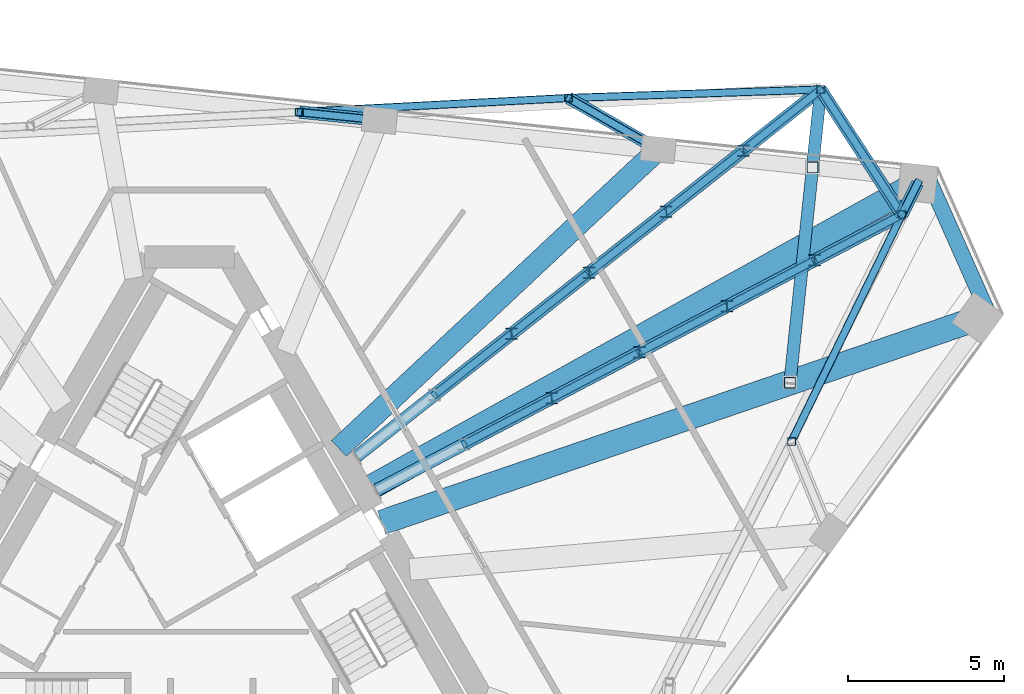
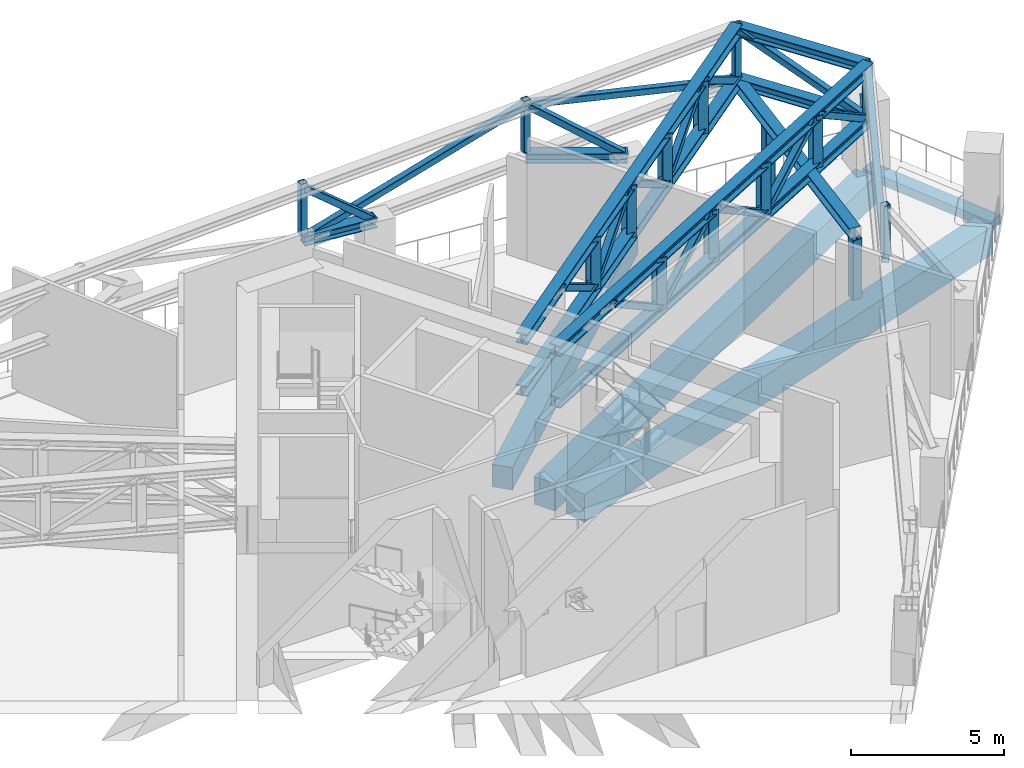
# One storey, part 10 of 20: 42 members, 4 beams.
"""IFC4 building model written with IfcOpenShell, lengths in metres."""

import ifcopenshell
import ifcopenshell.guid

model = None  # the IFC model being written
_history = None  # IfcOwnerHistory: only IFC2X3 demands one
_inside = {}  # id of a spatial element -> (the spatial element, [elements in it])
_under = {}  # id of a project, library or spatial element -> (it, [spatial elements below it])
_declared = {}  # id of a project -> (the project, [libraries it declares])
_typed = {}  # id of a type object -> (the type object, [elements of that type])
_made_of = {}  # id of a material, layer set ... -> (it, [elements and type objects made of it])


def new_model(schema):
    """Start an empty IFC model of exactly this schema.

    Asked for "IFC4X3", IfcOpenShell would pick the latest addendum, in which some entities
    have other attributes; the version numbers below select the first issue.
    IFC2X3 requires an IfcOwnerHistory on every rooted entity: one is made here for all.
    """
    global model, _history
    if schema == "IFC4X3":
        model = ifcopenshell.file(schema_version=(4, 3, 0, 0))
    else:
        model = ifcopenshell.file(schema=schema)
    _inside.clear()
    _under.clear()
    _declared.clear()
    _typed.clear()
    _made_of.clear()
    _history = None
    if model.schema == "IFC2X3":
        org = make("IfcOrganization", Name="unknown")
        user = make(
            "IfcPersonAndOrganization",
            ThePerson=make("IfcPerson", FamilyName="unknown"),
            TheOrganization=org,
        )
        app = make(
            "IfcApplication",
            ApplicationDeveloper=org,
            Version="unknown",
            ApplicationFullName="unknown",
            ApplicationIdentifier="unknown",
        )
        _history = make(
            "IfcOwnerHistory",
            OwningUser=user,
            OwningApplication=app,
            ChangeAction="ADDED",
            CreationDate=0,
        )
    return model


def make(cls, **values):
    """One entity of the class cls with the attributes given. An attribute that is None is left unset."""
    return model.create_entity(
        cls, **{name: value for name, value in values.items() if value is not None}
    )


def rooted(cls, **values):
    """An entity with a GlobalId (a new one), such as an element, a storey or a relation."""
    return make(cls, GlobalId=ifcopenshell.guid.new(), OwnerHistory=_history, **values)


def si_unit(unit_type, name, prefix=None):
    """IfcSIUnit, for example si_unit("LENGTHUNIT", "METRE", prefix="MILLI")."""
    return make("IfcSIUnit", UnitType=unit_type, Prefix=prefix, Name=name)


def assignment(units):
    """IfcUnitAssignment: the units of a project."""
    return None if units is None else make("IfcUnitAssignment", Units=units)


def point(xyz):
    """IfcCartesianPoint."""
    return None if xyz is None else make("IfcCartesianPoint", Coordinates=xyz)


def direction(xyz):
    """IfcDirection."""
    return None if xyz is None else make("IfcDirection", DirectionRatios=xyz)


def frame(location, z_axis=None, x_axis=None):
    """IfcAxis2Placement3D, a coordinate frame: its origin and axes. An axis left out is left unset."""
    return make(
        "IfcAxis2Placement3D",
        Location=point(location),
        Axis=direction(z_axis),
        RefDirection=direction(x_axis),
    )


def frame_2d(location, x_axis=None):
    """IfcAxis2Placement2D, a coordinate frame in the plane: its origin and x axis."""
    return make(
        "IfcAxis2Placement2D", Location=point(location), RefDirection=direction(x_axis)
    )


def origin():
    """The frame at (0, 0, 0) with its axes left unset."""
    return frame((0.0, 0.0, 0.0))


def origin_2d():
    """The frame at (0, 0) in the plane with its x axis left unset."""
    return frame_2d((0.0, 0.0))


def place(relative_to, where):
    """IfcLocalPlacement: puts the frame where relative to a parent placement (None: the world)."""
    return make(
        "IfcLocalPlacement", PlacementRelTo=relative_to, RelativePlacement=where
    )


def context(
    kind, dimensions, precision=None, world=None, true_north=None, identifier=None
):
    """IfcGeometricRepresentationContext, for example the 3D "Model" context."""
    return make(
        "IfcGeometricRepresentationContext",
        ContextIdentifier=identifier,
        ContextType=kind,
        CoordinateSpaceDimension=dimensions,
        Precision=precision,
        WorldCoordinateSystem=world,
        TrueNorth=true_north,
    )


def subcontext(parent, identifier, kind, view, scale=None):
    """IfcGeometricRepresentationSubContext, for example "Body" below "Model"."""
    return make(
        "IfcGeometricRepresentationSubContext",
        ContextIdentifier=identifier,
        ContextType=kind,
        ParentContext=parent,
        TargetScale=scale,
        TargetView=view,
    )


def project(units=None, contexts=None):
    """IfcProject with its units and contexts."""
    return rooted(
        "IfcProject",
        Name="project",
        RepresentationContexts=contexts,
        UnitsInContext=assignment(units),
    )


def spatial(cls, under=None, at=None, **own):
    """A site, building, storey or space (cls), placed at a placement, below another one or the project."""
    s = rooted(cls, ObjectPlacement=at, **own)
    if under is not None:
        _under.setdefault(under.id(), (under, []))[1].append(s)
    return s


def profile(cls, at=None, kind="AREA", **sizes):
    """A parametric profile (cls). Its sizes go by their IFC names, for example OverallWidth=200.0."""
    return make(cls, ProfileType=kind, Position=at, **sizes)


def rectangle(**sizes):
    """IfcRectangleProfileDef."""
    return profile("IfcRectangleProfileDef", **sizes)


def hollow_rectangle(**sizes):
    """IfcRectangleHollowProfileDef."""
    return profile("IfcRectangleHollowProfileDef", **sizes)


def i_section(**sizes):
    """IfcIShapeProfileDef."""
    return profile("IfcIShapeProfileDef", **sizes)


def extrude(swept, where, along, depth):
    """IfcExtrudedAreaSolid: the profile swept, set in the frame where, extruded along a direction by depth."""
    return make(
        "IfcExtrudedAreaSolid",
        SweptArea=swept,
        Position=where,
        ExtrudedDirection=direction(along),
        Depth=depth,
    )


def shape(context_of_items, identifier, shape_type, items):
    """IfcShapeRepresentation: the items that make up one representation, for example the "Body"."""
    return make(
        "IfcShapeRepresentation",
        ContextOfItems=context_of_items,
        RepresentationIdentifier=identifier,
        RepresentationType=shape_type,
        Items=items,
    )


def material(Name=None, Category=None):
    """IfcMaterial."""
    return make("IfcMaterial", Name=Name, Category=Category)


def material_profile(
    of_material, cross_section, Name=None, Category=None, Priority=None
):
    """IfcMaterialProfile: a cross section and its material."""
    return make(
        "IfcMaterialProfile",
        Name=Name,
        Material=of_material,
        Profile=cross_section,
        Priority=Priority,
        Category=Category,
    )


def profile_set(profiles, Name=None, composite=None):
    """IfcMaterialProfileSet."""
    return make(
        "IfcMaterialProfileSet",
        Name=Name,
        MaterialProfiles=profiles,
        CompositeProfile=composite,
    )


def made_of(thing, what):
    """Note that an element or type object is made of a material, layer set ...; save() writes the relation."""
    if what is not None:
        _made_of.setdefault(what.id(), (what, []))[1].append(thing)
    return thing


def type_object(cls, material=None, **own):
    """A type object (cls), such as IfcWallType, which elements share."""
    return made_of(rooted(cls, **own), material)


def element(
    cls,
    number,
    at=None,
    inside=None,
    cuts=None,
    type_object=None,
    material=None,
    context=None,
    identifier="Body",
    shape_type=None,
    held_by="IfcProductDefinitionShape",
    body=None,
    shapes=None,
    **own,
):
    """One element of the class cls, such as IfcWall. Its Tag is "e" and its number.

    at: its placement. inside: the storey or other place that contains it. cuts: it is an
    opening in that element (IfcRelVoidsElement). A single representation is given by context,
    identifier, shape_type and body (its items); several are given by shapes. held_by: the class
    of the entity that holds the representations. save() writes the other relations.
    """
    e = rooted(cls, Tag="e%d" % number, ObjectPlacement=at, **own)
    if body is not None:
        shapes = [shape(context, identifier, shape_type, body)]
    if shapes is not None:
        e.Representation = make(held_by, Representations=shapes)
    if inside is not None:
        _inside.setdefault(inside.id(), (inside, []))[1].append(e)
    if cuts is not None:
        rooted(
            "IfcRelVoidsElement", RelatingBuildingElement=cuts, RelatedOpeningElement=e
        )
    if type_object is not None:
        _typed.setdefault(type_object.id(), (type_object, []))[1].append(e)
    return made_of(e, material)


def aggregate(whole, parts):
    """IfcRelAggregates: a whole, such as a stair, and the parts it consists of."""
    return rooted("IfcRelAggregates", RelatingObject=whole, RelatedObjects=parts)


def save(model, path):
    """Write the relations noted so far, then the file.

    IfcRelAggregates (storeys below a building ...), IfcRelContainedInSpatialStructure (elements
    in a storey), IfcRelDefinesByType, IfcRelAssociatesMaterial and IfcRelDeclares: one each for
    every whole, place, type object, material and project.
    """
    for whole, parts in _under.values():
        aggregate(whole, parts)
    for where, things in _inside.values():
        rooted(
            "IfcRelContainedInSpatialStructure",
            RelatedElements=things,
            RelatingStructure=where,
        )
    for kind, things in _typed.values():
        rooted("IfcRelDefinesByType", RelatedObjects=things, RelatingType=kind)
    for what, things in _made_of.values():
        rooted("IfcRelAssociatesMaterial", RelatedObjects=things, RelatingMaterial=what)
    for by, libraries in _declared.values():
        rooted("IfcRelDeclares", RelatingContext=by, RelatedDefinitions=libraries)
    model.write(path)


model = new_model("IFC4")

# Units and contexts
model_context = context("Model", 3, precision=1e-05, world=origin(), true_north=direction((0.0, 1.0)))
body_context = subcontext(model_context, "Body", "Model", "MODEL_VIEW")
ifc_project = project(units=[si_unit("LENGTHUNIT", "METRE"), si_unit("AREAUNIT", "SQUARE_METRE"), si_unit("VOLUMEUNIT", "CUBIC_METRE"), si_unit("PLANEANGLEUNIT", "RADIAN"), si_unit("MASSUNIT", "GRAM", prefix="KILO")], contexts=[model_context])

# Site, building, storey
site_placement = place(None, origin())
site = spatial("IfcSite", under=ifc_project, at=site_placement, CompositionType="ELEMENT")
building_placement = place(site_placement, origin())
building = spatial("IfcBuilding", under=site, at=building_placement, Name="Tramontana Tower", CompositionType="ELEMENT")
storey_placement = place(building_placement, frame((0.0, 0.0, 269.199951171875)))
storey = spatial("IfcBuildingStorey", under=building, at=storey_placement, Name="L63", CompositionType="ELEMENT", Elevation=269.199951171875)

# Members
ifc_material_1 = material(Name="Steel ASTM A500 Grade C", Category="steel")
ifc_material_profile_1 = material_profile(ifc_material_1, hollow_rectangle(XDim=0.25390625, YDim=0.25390625, WallThickness=0.01171875, InnerFilletRadius=0.01171875, OuterFilletRadius=0.023681640625, at=origin_2d()), Name="HSS10X10X1/2")
ifc_profile_set_1 = profile_set([ifc_material_profile_1], Name="Steel ASTM A500 Grade C")
member_type_1 = type_object("IfcMemberType", Name="Belt truss HSS10X10X1/2 brace", PredefinedType="BRACE", material=ifc_profile_set_1)
for number, where, z_axis, x_axis, name in (
    (1, (19.351806640625, 4.71923828125, 2.59375), (0.42392217865, 0.871530093835, 0.246425002768), (-0.899261647096, 0.437411122473, 0.0), "Belt truss diagonal S1.5"),
    (2, (20.289306640625, 16.03369140625, 2.59375), (-0.968607088499, -0.032786676127, 0.246425124485), (0.033829929141, -0.999427604129, 0.0), "Belt truss diagonal S2.1"),
):
    element("IfcMember", number, at=place(storey_placement, frame(where, z_axis=z_axis, x_axis=x_axis)), inside=storey, type_object=member_type_1, Name=name, PredefinedType="BRACE", context=body_context, shape_type="SweptSolid", body=[
        extrude(hollow_rectangle(XDim=0.25390625, YDim=0.25390625, WallThickness=0.01171875, InnerFilletRadius=0.01171875, OuterFilletRadius=0.023681640625, at=origin_2d()), origin(), (0.0, 0.0, 1.0), 8.36962890625),
    ])
member_1_placement = place(storey_placement, frame((12.182373046875, 15.75927734375, 4.65625), z_axis=(-0.971459126066, -0.050925914552, -0.231675889143), x_axis=(0.052350204922, -0.998628787911, 0.0)))
element("IfcMember", 3, at=member_1_placement, inside=storey, type_object=member_type_1, Name="Belt truss diagonal S2.2", PredefinedType="BRACE", context=body_context, shape_type="SweptSolid", body=[
    extrude(hollow_rectangle(XDim=0.25390625, YDim=0.25390625, WallThickness=0.01171875, InnerFilletRadius=0.01171875, OuterFilletRadius=0.023681640625, at=origin_2d()), origin(), (0.0, 0.0, 1.0), 8.902587890625),
])
member_2_placement = place(storey_placement, frame((22.89990234375, 12.013671875, 2.59375), z_axis=(-0.500286062751, 0.770383457332, 0.39525078632), x_axis=(-0.838673951365, -0.54463382497, 0.0)))
element("IfcMember", 4, at=member_2_placement, inside=storey, type_object=member_type_1, Name="Belt truss diagonal K2.1", PredefinedType="BRACE", context=body_context, shape_type="SweptSolid", body=[
    extrude(hollow_rectangle(XDim=0.25390625, YDim=0.25390625, WallThickness=0.01171875, InnerFilletRadius=0.01171875, OuterFilletRadius=0.023681640625, at=origin_2d()), origin(), (0.0, 0.0, 1.0), 5.21826171875),
])
ifc_material_2 = material(Name="Steel ASTM A500 Grade C", Category="steel")
ifc_material_profile_2 = material_profile(ifc_material_2, hollow_rectangle(XDim=0.25390625, YDim=0.25390625, WallThickness=0.01171875, InnerFilletRadius=0.01171875, OuterFilletRadius=0.023681640625, at=origin_2d()), Name="HSS10X10X1/2")
ifc_profile_set_2 = profile_set([ifc_material_profile_2], Name="Steel ASTM A500 Grade C")
member_type_2 = type_object("IfcMemberType", Name="Belt truss HSS10X10X1/2 post", PredefinedType="POST", material=ifc_profile_set_2)
for number, where, z_axis, x_axis, name in (
    (5, (19.351806640625, 4.71923828125, 2.787353515625), (0.0, 0.0, 1.0), (1.0, 0.0, 0.0), "Belt truss post C7F08"),
    (6, (22.89990234375, 12.013671875, 2.787353515625), (0.0, 0.0, 1.0), (1.0, 0.0, 0.0), "Belt truss post C7K4"),
    (7, (20.289306640625, 16.03369140625, 2.787353515625), (0.0, 0.0, 1.0), (1.0, 0.0, 0.0), "Belt truss post C7K5"),
    (8, (12.182373046875, 15.75927734375, 2.787353515625), (0.0, 0.0, 1.0), (1.0, 0.0, 0.0), "Belt truss post C7F09"),
    (9, (3.533935546875, 15.305908203125, 2.787353515625), (0.0, 0.0, 1.0), (1.0, 0.0, 0.0), "Belt truss post C7F10"),
):
    element("IfcMember", number, at=place(storey_placement, frame(where, z_axis=z_axis, x_axis=x_axis)), inside=storey, type_object=member_type_2, Name=name, PredefinedType="POST", context=body_context, shape_type="SweptSolid", body=[
        extrude(hollow_rectangle(XDim=0.25390625, YDim=0.25390625, WallThickness=0.01171875, InnerFilletRadius=0.01171875, OuterFilletRadius=0.023681640625, at=origin_2d()), origin(), (0.0, 0.0, 1.0), 2.062744140625),
    ])
ifc_material_3 = material(Name="Steel ASTM A992 Grade 50", Category="steel")
ifc_material_profile_3 = material_profile(ifc_material_3, i_section(OverallWidth=0.39697265625, OverallDepth=0.387451171875, WebThickness=0.020751953125, FlangeThickness=0.033447265625, FilletRadius=0.01513671875, at=origin_2d()), Name="W14X176")
ifc_profile_set_3 = profile_set([ifc_material_profile_3], Name="Steel ASTM A992 Grade 50")
member_type_3 = type_object("IfcMemberType", Name="Belt truss W14X176 chord", PredefinedType="CHORD", material=ifc_profile_set_3)
for number, where, z_axis, x_axis, name in (
    (10, (22.89990234375, 12.013671875, 2.59375), (-0.54463382497, 0.838673951365, 0.0), (-0.838673951365, -0.54463382497, 0.0), "Belt truss bottom chord K2"),
    (11, (22.89990234375, 12.013671875, 4.65625), (-0.54463382497, 0.838673951365, 0.0), (-0.838673951365, -0.54463382497, 0.0), "Belt truss top chord K2"),
):
    element("IfcMember", number, at=place(storey_placement, frame(where, z_axis=z_axis, x_axis=x_axis)), inside=storey, type_object=member_type_3, Name=name, PredefinedType="CHORD", context=body_context, shape_type="SweptSolid", body=[
        extrude(i_section(OverallWidth=0.39697265625, OverallDepth=0.387451171875, WebThickness=0.020751953125, FlangeThickness=0.033447265625, FilletRadius=0.01513671875, at=origin_2d()), origin(), (0.0, 0.0, 1.0), 4.793212890625),
    ])

# Beams
ifc_material_4 = material(Name="Concrete 40 MPa", Category="concrete")
ifc_material_profile_4 = material_profile(ifc_material_4, rectangle(XDim=0.5, YDim=0.35009765625, at=origin_2d()), Name="RC EDGE BEAM 500X350 40 MPa")
ifc_profile_set_4 = profile_set([ifc_material_profile_4], Name="Concrete 40 MPa")
beam_type_1 = type_object("IfcBeamType", Name="RC EDGE BEAM 500X350 40 MPa", PredefinedType="SPANDREL", material=ifc_profile_set_4)
beam_1_placement = place(storey_placement, frame((25.76806640625, 8.62890625, -0.52490234375), z_axis=(-0.406713847213, 0.913555606674, 0.0), x_axis=(-0.913555606674, -0.406713847213, 0.0)))
element("IfcBeam", 12, at=beam_1_placement, inside=storey, type_object=beam_type_1, Name="Spandrel beam K2 L63", PredefinedType="SPANDREL", context=body_context, shape_type="SweptSolid", body=[
    extrude(rectangle(XDim=0.5, YDim=0.35009765625, at=origin_2d()), origin(), (0.0, 0.0, 1.0), 5.196044921875),
])
ifc_material_5 = material(Name="Concrete 40 MPa", Category="concrete")
ifc_material_profile_5 = material_profile(ifc_material_5, rectangle(XDim=0.699951171875, YDim=0.89990234375, at=origin_2d()), Name="RC GIRDER 700X900 40 MPa")
ifc_profile_set_5 = profile_set([ifc_material_profile_5], Name="Concrete 40 MPa")
beam_type_2 = type_object("IfcBeamType", Name="RC GIRDER 700X900 40 MPa", PredefinedType="BEAM", material=ifc_profile_set_5)
beam_2_placement = place(storey_placement, frame((15.066650390625, 14.102294921875, -0.800048828125), z_axis=(-0.730089981105, -0.683351022162, 0.0), x_axis=(0.683351022162, -0.730089981105, 0.0)))
element("IfcBeam", 13, at=beam_2_placement, inside=storey, type_object=beam_type_2, Name="Radial girder C6F09 L63", PredefinedType="BEAM", context=body_context, shape_type="SweptSolid", body=[
    extrude(rectangle(XDim=0.699951171875, YDim=0.89990234375, at=origin_2d()), origin(), (0.0, 0.0, 1.0), 14.056396484375),
])
ifc_material_6 = material(Name="Concrete 40 MPa", Category="concrete")
ifc_material_profile_6 = material_profile(ifc_material_6, rectangle(XDim=0.800048828125, YDim=1.10009765625, at=origin_2d()), Name="RC GIRDER 800X1100 40 MPa")
ifc_profile_set_6 = profile_set([ifc_material_profile_6], Name="Concrete 40 MPa")
beam_type_3 = type_object("IfcBeamType", Name="RC GIRDER 800X1100 40 MPa", PredefinedType="BEAM", material=ifc_profile_set_6)
beam_3_placement = place(storey_placement, frame((25.34130859375, 8.67919921875, -0.89990234375), z_axis=(-0.946050478935, -0.324019276136, 0.0), x_axis=(0.324019276136, -0.946050478935, 0.0)))
element("IfcBeam", 14, at=beam_3_placement, inside=storey, type_object=beam_type_3, Name="Radial girder C6K4 L63", PredefinedType="BEAM", context=body_context, shape_type="SweptSolid", body=[
    extrude(rectangle(XDim=0.800048828125, YDim=1.10009765625, at=origin_2d()), origin(), (0.0, 0.0, 1.0), 20.258056640625),
])
beam_4_placement = place(storey_placement, frame((23.40625, 13.024658203125, -0.89990234375), z_axis=(-0.873818675449, -0.486251912528, 0.0), x_axis=(0.486251912528, -0.873818675449, 0.0)))
element("IfcBeam", 15, at=beam_4_placement, inside=storey, type_object=beam_type_3, Name="Radial girder C6K5 L63", PredefinedType="BEAM", context=body_context, shape_type="SweptSolid", body=[
    extrude(rectangle(XDim=0.800048828125, YDim=1.10009765625, at=origin_2d()), origin(), (0.0, 0.0, 1.0), 20.38525390625),
])

# Members
ifc_material_7 = material(Name="Steel ASTM A500 Grade C", Category="steel")
ifc_material_profile_7 = material_profile(ifc_material_7, hollow_rectangle(XDim=0.25390625, YDim=0.25390625, WallThickness=0.01171875, InnerFilletRadius=0.01171875, OuterFilletRadius=0.023681640625, at=origin_2d()), Name="HSS10X10X1/2")
ifc_profile_set_7 = profile_set([ifc_material_profile_7], Name="Steel ASTM A500 Grade C")
member_type_4 = type_object("IfcMemberType", Name="Transfer truss HSS10X10X1/2 brace", PredefinedType="BRACE", material=ifc_profile_set_7)
member_3_placement = place(storey_placement, frame((15.066650390625, 14.102294921875, 2.59375), z_axis=(-0.736933246043, 0.423359229803, 0.526969025103), x_axis=(-0.498137375978, -0.867098122852, 0.0)))
element("IfcMember", 16, at=member_3_placement, inside=storey, type_object=member_type_4, Name="Transfer truss strut C7F09 diagonal", PredefinedType="BRACE", context=body_context, shape_type="SweptSolid", body=[
    extrude(hollow_rectangle(XDim=0.25390625, YDim=0.25390625, WallThickness=0.01171875, InnerFilletRadius=0.01171875, OuterFilletRadius=0.023681640625, at=origin_2d()), origin(), (0.0, 0.0, 1.0), 3.913818359375),
])
member_4_placement = place(storey_placement, frame((6.109375, 15.043701171875, 2.59375), z_axis=(-0.778098016335, 0.079218624471, 0.623127504218), x_axis=(-0.101287011372, -0.994857246708, 0.0)))
element("IfcMember", 17, at=member_4_placement, inside=storey, type_object=member_type_4, Name="Transfer truss strut C7F10 diagonal", PredefinedType="BRACE", context=body_context, shape_type="SweptSolid", body=[
    extrude(hollow_rectangle(XDim=0.25390625, YDim=0.25390625, WallThickness=0.01171875, InnerFilletRadius=0.01171875, OuterFilletRadius=0.023681640625, at=origin_2d()), origin(), (0.0, 0.0, 1.0), 3.309814453125),
])
member_5_placement = place(storey_placement, frame((23.40625, 13.024658203125, 2.59375), z_axis=(-0.215274458876, -0.429822340504, 0.876874941459), x_axis=(0.89412469868, -0.447818069322, 0.0)))
element("IfcMember", 18, at=member_5_placement, inside=storey, type_object=member_type_4, Name="Transfer truss strut C7K4 diagonal", PredefinedType="BRACE", context=body_context, shape_type="SweptSolid", body=[
    extrude(hollow_rectangle(XDim=0.25390625, YDim=0.25390625, WallThickness=0.01171875, InnerFilletRadius=0.01171875, OuterFilletRadius=0.023681640625, at=origin_2d()), origin(), (0.0, 0.0, 1.0), 2.35205078125),
])
for number, where, z_axis, x_axis, name in (
    (19, (8.830810546875, 4.63427734375, 4.65625), (0.742796920694, 0.389605846906, -0.544481421781), (-0.464495033066, 0.885575724745, 0.0), "Transfer truss diagonal 3.2"),
    (20, (11.64453125, 6.110107421875, 2.59375), (0.742825808923, 0.389587195466, 0.544455356046), (-0.464463427319, 0.885592301617, 0.0), "Transfer truss diagonal 3.3"),
    (21, (14.45849609375, 7.5859375, 4.65625), (0.742778267883, 0.389660512592, -0.544467748987), (-0.464555290817, 0.885544116221, 0.0), "Transfer truss diagonal 3.4"),
    (22, (17.272216796875, 9.06201171875, 2.59375), (0.742825808923, 0.389587195466, 0.544455356046), (-0.464463427319, 0.885592301617, 0.0), "Transfer truss diagonal 3.5"),
    (23, (20.086181640625, 10.537841796875, 4.65625), (0.742796920694, 0.389605846906, -0.544481421781), (-0.464495033066, 0.885575724745, 0.0), "Transfer truss diagonal 3.6"),
):
    element("IfcMember", number, at=place(storey_placement, frame(where, z_axis=z_axis, x_axis=x_axis)), inside=storey, type_object=member_type_4, Name=name, PredefinedType="BRACE", context=body_context, shape_type="SweptSolid", body=[
        extrude(hollow_rectangle(XDim=0.25390625, YDim=0.25390625, WallThickness=0.01171875, InnerFilletRadius=0.01171875, OuterFilletRadius=0.023681640625, at=origin_2d()), origin(), (0.0, 0.0, 1.0), 3.7880859375),
    ])
member_6_placement = place(storey_placement, frame((7.87060546875, 6.213623046875, 4.65625), z_axis=(0.657238760331, 0.519756790215, -0.545793084368), x_axis=(-0.62029405747, 0.784369353218, 0.0)))
element("IfcMember", 24, at=member_6_placement, inside=storey, type_object=member_type_4, Name="Transfer truss diagonal 4.2", PredefinedType="BRACE", context=body_context, shape_type="SweptSolid", body=[
    extrude(hollow_rectangle(XDim=0.25390625, YDim=0.25390625, WallThickness=0.01171875, InnerFilletRadius=0.01171875, OuterFilletRadius=0.023681640625, at=origin_2d()), origin(), (0.0, 0.0, 1.0), 3.77880859375),
])
member_7_placement = place(storey_placement, frame((10.354248046875, 8.177734375, 2.59375), z_axis=(0.657297525563, 0.519687565916, 0.545788234319), x_axis=(-0.620209104697, 0.784436527994, 0.0)))
element("IfcMember", 25, at=member_7_placement, inside=storey, type_object=member_type_4, Name="Transfer truss diagonal 4.3", PredefinedType="BRACE", context=body_context, shape_type="SweptSolid", body=[
    extrude(hollow_rectangle(XDim=0.25390625, YDim=0.25390625, WallThickness=0.01171875, InnerFilletRadius=0.01171875, OuterFilletRadius=0.023681640625, at=origin_2d()), origin(), (0.0, 0.0, 1.0), 3.779052734375),
])
member_8_placement = place(storey_placement, frame((12.838134765625, 10.1416015625, 4.65625), z_axis=(0.657238760331, 0.519756790215, -0.545793084368), x_axis=(-0.62029405747, 0.784369353218, 0.0)))
element("IfcMember", 26, at=member_8_placement, inside=storey, type_object=member_type_4, Name="Transfer truss diagonal 4.4", PredefinedType="BRACE", context=body_context, shape_type="SweptSolid", body=[
    extrude(hollow_rectangle(XDim=0.25390625, YDim=0.25390625, WallThickness=0.01171875, InnerFilletRadius=0.01171875, OuterFilletRadius=0.023681640625, at=origin_2d()), origin(), (0.0, 0.0, 1.0), 3.77880859375),
])
member_9_placement = place(storey_placement, frame((15.32177734375, 12.105712890625, 2.59375), z_axis=(0.657275456713, 0.519734720784, 0.545769909407), x_axis=(-0.620256545337, 0.784399017061, 0.0)))
element("IfcMember", 27, at=member_9_placement, inside=storey, type_object=member_type_4, Name="Transfer truss diagonal 4.5", PredefinedType="BRACE", context=body_context, shape_type="SweptSolid", body=[
    extrude(hollow_rectangle(XDim=0.25390625, YDim=0.25390625, WallThickness=0.01171875, InnerFilletRadius=0.01171875, OuterFilletRadius=0.023681640625, at=origin_2d()), origin(), (0.0, 0.0, 1.0), 3.779052734375),
])
member_10_placement = place(storey_placement, frame((17.8056640625, 14.06982421875, 4.65625), z_axis=(0.657260829823, 0.519709634827, -0.545811411614), x_axis=(-0.620246617548, 0.78440686727, 0.0)))
element("IfcMember", 28, at=member_10_placement, inside=storey, type_object=member_type_4, Name="Transfer truss diagonal 4.6", PredefinedType="BRACE", context=body_context, shape_type="SweptSolid", body=[
    extrude(hollow_rectangle(XDim=0.25390625, YDim=0.25390625, WallThickness=0.01171875, InnerFilletRadius=0.01171875, OuterFilletRadius=0.023681640625, at=origin_2d()), origin(), (0.0, 0.0, 1.0), 3.77880859375),
])
ifc_material_8 = material(Name="Steel ASTM A500 Grade C", Category="steel")
ifc_material_profile_8 = material_profile(ifc_material_8, hollow_rectangle(XDim=0.355712890625, YDim=0.355712890625, WallThickness=0.01171875, InnerFilletRadius=0.01171875, OuterFilletRadius=0.023681640625, at=origin_2d()), Name="HSS14X14X1/2")
ifc_profile_set_8 = profile_set([ifc_material_profile_8], Name="Steel ASTM A500 Grade C")
member_type_5 = type_object("IfcMemberType", Name="Transfer truss HSS14X14X1/2 post", PredefinedType="POST", material=ifc_profile_set_8)
for number, where, z_axis, x_axis, name in (
    (29, (20.026123046875, 13.53076171875, 0.0400390625), (0.0, 0.0, 1.0), (1.0, 0.0, 0.0), "Transfer truss post C7K5.1"),
    (30, (19.298828125, 6.609619140625, 0.0400390625), (0.0, 0.0, 1.0), (1.0, 0.0, 0.0), "Transfer truss post C7K5.2"),
):
    element("IfcMember", number, at=place(storey_placement, frame(where, z_axis=z_axis, x_axis=x_axis)), inside=storey, type_object=member_type_5, Name=name, PredefinedType="POST", context=body_context, shape_type="SweptSolid", body=[
        extrude(hollow_rectangle(XDim=0.355712890625, YDim=0.355712890625, WallThickness=0.01171875, InnerFilletRadius=0.01171875, OuterFilletRadius=0.023681640625, at=origin_2d()), origin(), (0.0, 0.0, 1.0), 2.360107421875),
    ])
ifc_material_9 = material(Name="Steel ASTM A992 Grade 50", Category="steel")
ifc_material_profile_9 = material_profile(ifc_material_9, i_section(OverallWidth=0.39697265625, OverallDepth=0.387451171875, WebThickness=0.020751953125, FlangeThickness=0.033447265625, FilletRadius=0.01513671875, at=origin_2d()), Name="W14X176")
ifc_profile_set_9 = profile_set([ifc_material_profile_9], Name="Steel ASTM A992 Grade 50")
member_type_6 = type_object("IfcMemberType", Name="Transfer truss W14X176 chord", PredefinedType="CHORD", material=ifc_profile_set_9)
member_11_placement = place(storey_placement, frame((20.289306640625, 16.03369140625, 2.59375), z_axis=(-0.104525186568, -0.994522239758, 0.0), x_axis=(0.994522239758, -0.104525186568, 0.0)))
element("IfcMember", 31, at=member_11_placement, inside=storey, type_object=member_type_6, Name="Transfer truss girder C7K5", PredefinedType="CHORD", context=body_context, shape_type="SweptSolid", body=[
    extrude(i_section(OverallWidth=0.39697265625, OverallDepth=0.387451171875, WebThickness=0.020751953125, FlangeThickness=0.033447265625, FilletRadius=0.01513671875, at=origin_2d()), origin(), (0.0, 0.0, 1.0), 9.47607421875),
])
ifc_material_10 = material(Name="Steel ASTM A992 Grade 50", Category="steel")
ifc_material_profile_10 = material_profile(ifc_material_10, i_section(OverallWidth=0.39697265625, OverallDepth=0.387451171875, WebThickness=0.020751953125, FlangeThickness=0.033447265625, FilletRadius=0.01513671875, at=origin_2d()), Name="W14X176")
ifc_profile_set_10 = profile_set([ifc_material_profile_10], Name="Steel ASTM A992 Grade 50")
member_type_7 = type_object("IfcMemberType", Name="Transfer truss W14X176 strut", PredefinedType="STRUT", material=ifc_profile_set_10)
member_12_placement = place(storey_placement, frame((15.066650390625, 14.102294921875, 2.59375), z_axis=(-0.867098122852, 0.498137375978, 0.0), x_axis=(-0.498137375978, -0.867098122852, 0.0)))
element("IfcMember", 32, at=member_12_placement, inside=storey, type_object=member_type_7, Name="Transfer truss strut C7F09 bottom", PredefinedType="STRUT", context=body_context, shape_type="SweptSolid", body=[
    extrude(i_section(OverallWidth=0.39697265625, OverallDepth=0.387451171875, WebThickness=0.020751953125, FlangeThickness=0.033447265625, FilletRadius=0.01513671875, at=origin_2d()), origin(), (0.0, 0.0, 1.0), 3.326416015625),
])
member_13_placement = place(storey_placement, frame((6.109375, 15.043701171875, 2.59375), z_axis=(-0.994857246708, 0.101287011372, 0.0), x_axis=(-0.101287011372, -0.994857246708, 0.0)))
element("IfcMember", 33, at=member_13_placement, inside=storey, type_object=member_type_7, Name="Transfer truss strut C7F10 bottom", PredefinedType="STRUT", context=body_context, shape_type="SweptSolid", body=[
    extrude(i_section(OverallWidth=0.39697265625, OverallDepth=0.387451171875, WebThickness=0.020751953125, FlangeThickness=0.033447265625, FilletRadius=0.01513671875, at=origin_2d()), origin(), (0.0, 0.0, 1.0), 2.5888671875),
])
member_14_placement = place(storey_placement, frame((23.40625, 13.024658203125, 2.59375), z_axis=(-0.447818069322, -0.89412469868, 0.0), x_axis=(0.89412469868, -0.447818069322, 0.0)))
element("IfcMember", 34, at=member_14_placement, inside=storey, type_object=member_type_7, Name="Transfer truss strut C7K4 bottom", PredefinedType="STRUT", context=body_context, shape_type="SweptSolid", body=[
    extrude(i_section(OverallWidth=0.39697265625, OverallDepth=0.387451171875, WebThickness=0.020751953125, FlangeThickness=0.033447265625, FilletRadius=0.01513671875, at=origin_2d()), origin(), (0.0, 0.0, 1.0), 1.130615234375),
])
ifc_material_11 = material(Name="Steel ASTM A992 Grade 50", Category="steel")
ifc_material_profile_11 = material_profile(ifc_material_11, i_section(OverallWidth=0.4033203125, OverallDepth=0.406494140625, WebThickness=0.027099609375, FlangeThickness=0.04443359375, FilletRadius=0.01513671875, at=origin_2d()), Name="W14X233")
ifc_profile_set_11 = profile_set([ifc_material_profile_11], Name="Steel ASTM A992 Grade 50")
member_type_8 = type_object("IfcMemberType", Name="Transfer truss W14X233 chord", PredefinedType="CHORD", material=ifc_profile_set_11)
for number, where, z_axis, x_axis, name in (
    (35, (6.016845703125, 3.158447265625, 2.59375), (0.885578745954, 0.464489272982, 0.0), (-0.464489272982, 0.885578745954, 0.0), "Transfer truss bottom chord 3"),
    (36, (6.016845703125, 3.158447265625, 4.65625), (0.885578745954, 0.464489272982, 0.0), (-0.464489272982, 0.885578745954, 0.0), "Transfer truss top chord 3"),
):
    element("IfcMember", number, at=place(storey_placement, frame(where, z_axis=z_axis, x_axis=x_axis)), inside=storey, type_object=member_type_8, Name=name, PredefinedType="CHORD", context=body_context, shape_type="SweptSolid", body=[
        extrude(i_section(OverallWidth=0.4033203125, OverallDepth=0.406494140625, WebThickness=0.027099609375, FlangeThickness=0.04443359375, FilletRadius=0.01513671875, at=origin_2d()), origin(), (0.0, 0.0, 1.0), 19.064453125),
    ])
for number, where, z_axis, x_axis, name in (
    (37, (5.386962890625, 4.249755859375, 2.59375), (0.78439799818, 0.620257833849, 0.0), (-0.620257833849, 0.78439799818, 0.0), "Transfer truss bottom chord 4"),
    (38, (5.386962890625, 4.249755859375, 4.65625), (0.78439799818, 0.620257833849, 0.0), (-0.620257833849, 0.78439799818, 0.0), "Transfer truss top chord 4"),
):
    element("IfcMember", number, at=place(storey_placement, frame(where, z_axis=z_axis, x_axis=x_axis)), inside=storey, type_object=member_type_8, Name=name, PredefinedType="CHORD", context=body_context, shape_type="SweptSolid", body=[
        extrude(i_section(OverallWidth=0.4033203125, OverallDepth=0.406494140625, WebThickness=0.027099609375, FlangeThickness=0.04443359375, FilletRadius=0.01513671875, at=origin_2d()), origin(), (0.0, 0.0, 1.0), 18.99853515625),
    ])
ifc_material_12 = material(Name="Steel ASTM A992 Grade 50", Category="steel")
ifc_material_profile_12 = material_profile(ifc_material_12, i_section(OverallWidth=0.368408203125, OverallDepth=0.355712890625, WebThickness=0.01123046875, FlangeThickness=0.017578125, FilletRadius=0.01513671875, at=origin_2d()), Name="W14X90")
ifc_profile_set_12 = profile_set([ifc_material_profile_12], Name="Steel ASTM A992 Grade 50")
member_type_9 = type_object("IfcMemberType", Name="Transfer truss W14X90 post", PredefinedType="POST", material=ifc_profile_set_12)
for number, where, z_axis, x_axis, name in (
    (39, (11.64453125, 6.110107421875, 2.59375), (0.0, 0.0, 1.0), (1.0, 0.0, 0.0), "Transfer truss post 3.2"),
    (40, (14.45849609375, 7.5859375, 2.59375), (0.0, 0.0, 1.0), (1.0, 0.0, 0.0), "Transfer truss post 3.3"),
    (41, (17.272216796875, 9.06201171875, 2.59375), (0.0, 0.0, 1.0), (1.0, 0.0, 0.0), "Transfer truss post 3.4"),
    (42, (20.086181640625, 10.537841796875, 2.59375), (0.0, 0.0, 1.0), (1.0, 0.0, 0.0), "Transfer truss post 3.5"),
    (43, (10.354248046875, 8.177734375, 2.59375), (0.0, 0.0, 1.0), (1.0, 0.0, 0.0), "Transfer truss post 4.2"),
    (44, (12.838134765625, 10.1416015625, 2.59375), (0.0, 0.0, 1.0), (1.0, 0.0, 0.0), "Transfer truss post 4.3"),
    (45, (15.32177734375, 12.105712890625, 2.59375), (0.0, 0.0, 1.0), (1.0, 0.0, 0.0), "Transfer truss post 4.4"),
    (46, (17.8056640625, 14.06982421875, 2.59375), (0.0, 0.0, 1.0), (1.0, 0.0, 0.0), "Transfer truss post 4.5"),
):
    element("IfcMember", number, at=place(storey_placement, frame(where, z_axis=z_axis, x_axis=x_axis)), inside=storey, type_object=member_type_9, Name=name, PredefinedType="POST", context=body_context, shape_type="SweptSolid", body=[
        extrude(i_section(OverallWidth=0.368408203125, OverallDepth=0.355712890625, WebThickness=0.01123046875, FlangeThickness=0.017578125, FilletRadius=0.01513671875, at=origin_2d()), origin(), (0.0, 0.0, 1.0), 2.0625),
    ])

save(model, "model.ifc")
